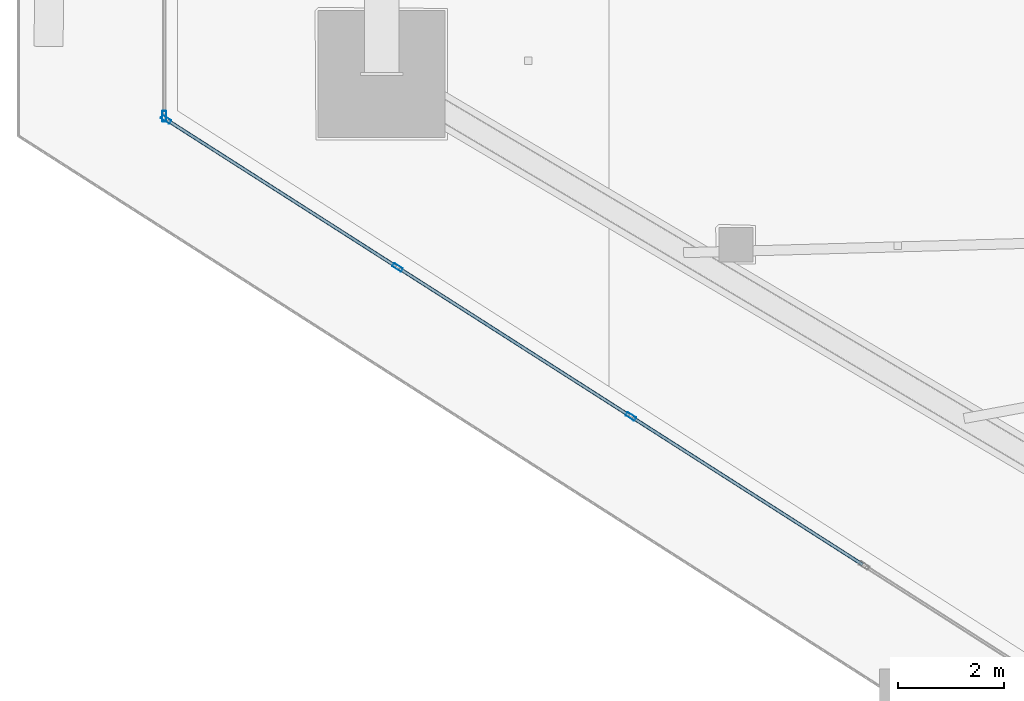
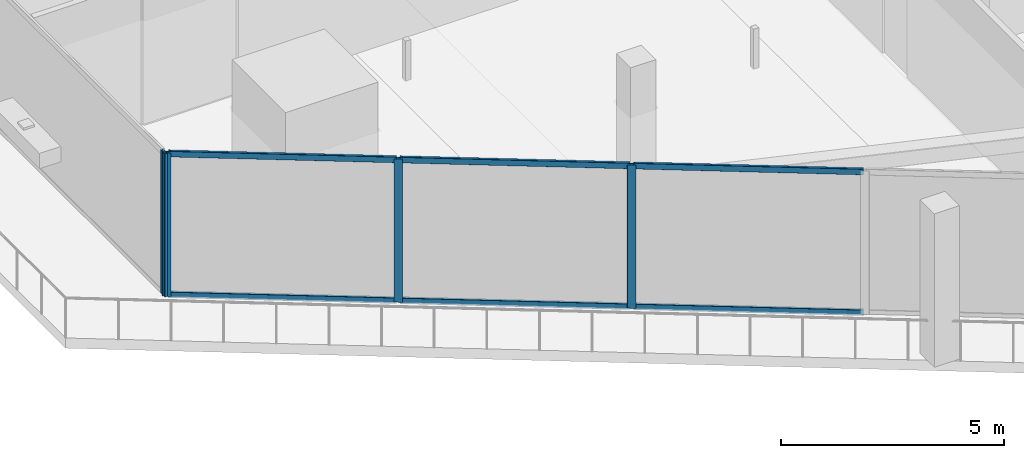
# One storey, part 3 of 47: 10 members, 2 elements without a shape of their own.
"""IFC4 building model written with IfcOpenShell, lengths in metres."""

import ifcopenshell
import ifcopenshell.guid

model = None  # the IFC model being written
_history = None  # IfcOwnerHistory: only IFC2X3 demands one
_inside = {}  # id of a spatial element -> (the spatial element, [elements in it])
_under = {}  # id of a project, library or spatial element -> (it, [spatial elements below it])
_declared = {}  # id of a project -> (the project, [libraries it declares])
_typed = {}  # id of a type object -> (the type object, [elements of that type])
_made_of = {}  # id of a material, layer set ... -> (it, [elements and type objects made of it])


def new_model(schema):
    """Start an empty IFC model of exactly this schema.

    Asked for "IFC4X3", IfcOpenShell would pick the latest addendum, in which some entities
    have other attributes; the version numbers below select the first issue.
    IFC2X3 requires an IfcOwnerHistory on every rooted entity: one is made here for all.
    """
    global model, _history
    if schema == "IFC4X3":
        model = ifcopenshell.file(schema_version=(4, 3, 0, 0))
    else:
        model = ifcopenshell.file(schema=schema)
    _inside.clear()
    _under.clear()
    _declared.clear()
    _typed.clear()
    _made_of.clear()
    _history = None
    if model.schema == "IFC2X3":
        org = make("IfcOrganization", Name="unknown")
        user = make(
            "IfcPersonAndOrganization",
            ThePerson=make("IfcPerson", FamilyName="unknown"),
            TheOrganization=org,
        )
        app = make(
            "IfcApplication",
            ApplicationDeveloper=org,
            Version="unknown",
            ApplicationFullName="unknown",
            ApplicationIdentifier="unknown",
        )
        _history = make(
            "IfcOwnerHistory",
            OwningUser=user,
            OwningApplication=app,
            ChangeAction="ADDED",
            CreationDate=0,
        )
    return model


def make(cls, **values):
    """One entity of the class cls with the attributes given. An attribute that is None is left unset."""
    return model.create_entity(
        cls, **{name: value for name, value in values.items() if value is not None}
    )


def rooted(cls, **values):
    """An entity with a GlobalId (a new one), such as an element, a storey or a relation."""
    return make(cls, GlobalId=ifcopenshell.guid.new(), OwnerHistory=_history, **values)


def si_unit(unit_type, name, prefix=None):
    """IfcSIUnit, for example si_unit("LENGTHUNIT", "METRE", prefix="MILLI")."""
    return make("IfcSIUnit", UnitType=unit_type, Prefix=prefix, Name=name)


def assignment(units):
    """IfcUnitAssignment: the units of a project."""
    return None if units is None else make("IfcUnitAssignment", Units=units)


def point(xyz):
    """IfcCartesianPoint."""
    return None if xyz is None else make("IfcCartesianPoint", Coordinates=xyz)


def direction(xyz):
    """IfcDirection."""
    return None if xyz is None else make("IfcDirection", DirectionRatios=xyz)


def frame(location, z_axis=None, x_axis=None):
    """IfcAxis2Placement3D, a coordinate frame: its origin and axes. An axis left out is left unset."""
    return make(
        "IfcAxis2Placement3D",
        Location=point(location),
        Axis=direction(z_axis),
        RefDirection=direction(x_axis),
    )


def frame_2d(location, x_axis=None):
    """IfcAxis2Placement2D, a coordinate frame in the plane: its origin and x axis."""
    return make(
        "IfcAxis2Placement2D", Location=point(location), RefDirection=direction(x_axis)
    )


def origin():
    """The frame at (0, 0, 0) with its axes left unset."""
    return frame((0.0, 0.0, 0.0))


def origin_2d():
    """The frame at (0, 0) in the plane with its x axis left unset."""
    return frame_2d((0.0, 0.0))


def place(relative_to, where):
    """IfcLocalPlacement: puts the frame where relative to a parent placement (None: the world)."""
    return make(
        "IfcLocalPlacement", PlacementRelTo=relative_to, RelativePlacement=where
    )


def context(
    kind, dimensions, precision=None, world=None, true_north=None, identifier=None
):
    """IfcGeometricRepresentationContext, for example the 3D "Model" context."""
    return make(
        "IfcGeometricRepresentationContext",
        ContextIdentifier=identifier,
        ContextType=kind,
        CoordinateSpaceDimension=dimensions,
        Precision=precision,
        WorldCoordinateSystem=world,
        TrueNorth=true_north,
    )


def subcontext(parent, identifier, kind, view, scale=None):
    """IfcGeometricRepresentationSubContext, for example "Body" below "Model"."""
    return make(
        "IfcGeometricRepresentationSubContext",
        ContextIdentifier=identifier,
        ContextType=kind,
        ParentContext=parent,
        TargetScale=scale,
        TargetView=view,
    )


def project(units=None, contexts=None):
    """IfcProject with its units and contexts."""
    return rooted(
        "IfcProject",
        Name="project",
        RepresentationContexts=contexts,
        UnitsInContext=assignment(units),
    )


def spatial(cls, under=None, at=None, **own):
    """A site, building, storey or space (cls), placed at a placement, below another one or the project."""
    s = rooted(cls, ObjectPlacement=at, **own)
    if under is not None:
        _under.setdefault(under.id(), (under, []))[1].append(s)
    return s


def profile(cls, at=None, kind="AREA", **sizes):
    """A parametric profile (cls). Its sizes go by their IFC names, for example OverallWidth=200.0."""
    return make(cls, ProfileType=kind, Position=at, **sizes)


def hollow_rectangle(**sizes):
    """IfcRectangleHollowProfileDef."""
    return profile("IfcRectangleHollowProfileDef", **sizes)


def extrude(swept, where, along, depth):
    """IfcExtrudedAreaSolid: the profile swept, set in the frame where, extruded along a direction by depth."""
    return make(
        "IfcExtrudedAreaSolid",
        SweptArea=swept,
        Position=where,
        ExtrudedDirection=direction(along),
        Depth=depth,
    )


def shape(context_of_items, identifier, shape_type, items):
    """IfcShapeRepresentation: the items that make up one representation, for example the "Body"."""
    return make(
        "IfcShapeRepresentation",
        ContextOfItems=context_of_items,
        RepresentationIdentifier=identifier,
        RepresentationType=shape_type,
        Items=items,
    )


def material(Name=None, Category=None):
    """IfcMaterial."""
    return make("IfcMaterial", Name=Name, Category=Category)


def layer(
    of_material, thickness, ventilated=None, Name=None, Category=None, Priority=None
):
    """IfcMaterialLayer: one layer of a wall or slab, of a material (None: an air gap)."""
    return make(
        "IfcMaterialLayer",
        Material=of_material,
        LayerThickness=thickness,
        IsVentilated=ventilated,
        Name=Name,
        Category=Category,
        Priority=Priority,
    )


def layer_set(layers, Name=None):
    """IfcMaterialLayerSet."""
    return make("IfcMaterialLayerSet", MaterialLayers=layers, LayerSetName=Name)


def material_profile(
    of_material, cross_section, Name=None, Category=None, Priority=None
):
    """IfcMaterialProfile: a cross section and its material."""
    return make(
        "IfcMaterialProfile",
        Name=Name,
        Material=of_material,
        Profile=cross_section,
        Priority=Priority,
        Category=Category,
    )


def profile_set(profiles, Name=None, composite=None):
    """IfcMaterialProfileSet."""
    return make(
        "IfcMaterialProfileSet",
        Name=Name,
        MaterialProfiles=profiles,
        CompositeProfile=composite,
    )


def made_of(thing, what):
    """Note that an element or type object is made of a material, layer set ...; save() writes the relation."""
    if what is not None:
        _made_of.setdefault(what.id(), (what, []))[1].append(thing)
    return thing


def type_object(cls, material=None, **own):
    """A type object (cls), such as IfcWallType, which elements share."""
    return made_of(rooted(cls, **own), material)


def element(
    cls,
    number,
    at=None,
    inside=None,
    cuts=None,
    type_object=None,
    material=None,
    context=None,
    identifier="Body",
    shape_type=None,
    held_by="IfcProductDefinitionShape",
    body=None,
    shapes=None,
    **own,
):
    """One element of the class cls, such as IfcWall. Its Tag is "e" and its number.

    at: its placement. inside: the storey or other place that contains it. cuts: it is an
    opening in that element (IfcRelVoidsElement). A single representation is given by context,
    identifier, shape_type and body (its items); several are given by shapes. held_by: the class
    of the entity that holds the representations. save() writes the other relations.
    """
    e = rooted(cls, Tag="e%d" % number, ObjectPlacement=at, **own)
    if body is not None:
        shapes = [shape(context, identifier, shape_type, body)]
    if shapes is not None:
        e.Representation = make(held_by, Representations=shapes)
    if inside is not None:
        _inside.setdefault(inside.id(), (inside, []))[1].append(e)
    if cuts is not None:
        rooted(
            "IfcRelVoidsElement", RelatingBuildingElement=cuts, RelatedOpeningElement=e
        )
    if type_object is not None:
        _typed.setdefault(type_object.id(), (type_object, []))[1].append(e)
    return made_of(e, material)


def aggregate(whole, parts):
    """IfcRelAggregates: a whole, such as a stair, and the parts it consists of."""
    return rooted("IfcRelAggregates", RelatingObject=whole, RelatedObjects=parts)


def save(model, path):
    """Write the relations noted so far, then the file.

    IfcRelAggregates (storeys below a building ...), IfcRelContainedInSpatialStructure (elements
    in a storey), IfcRelDefinesByType, IfcRelAssociatesMaterial and IfcRelDeclares: one each for
    every whole, place, type object, material and project.
    """
    for whole, parts in _under.values():
        aggregate(whole, parts)
    for where, things in _inside.values():
        rooted(
            "IfcRelContainedInSpatialStructure",
            RelatedElements=things,
            RelatingStructure=where,
        )
    for kind, things in _typed.values():
        rooted("IfcRelDefinesByType", RelatedObjects=things, RelatingType=kind)
    for what, things in _made_of.values():
        rooted("IfcRelAssociatesMaterial", RelatedObjects=things, RelatingMaterial=what)
    for by, libraries in _declared.values():
        rooted("IfcRelDeclares", RelatingContext=by, RelatedDefinitions=libraries)
    model.write(path)


model = new_model("IFC4")

# Units and contexts
model_context = context("Model", 3, precision=1e-05, world=origin(), true_north=direction((0.0, 1.0)))
body_context = subcontext(model_context, "Body", "Model", "MODEL_VIEW")
ifc_project = project(units=[si_unit("LENGTHUNIT", "METRE"), si_unit("AREAUNIT", "SQUARE_METRE"), si_unit("VOLUMEUNIT", "CUBIC_METRE"), si_unit("PLANEANGLEUNIT", "RADIAN"), si_unit("MASSUNIT", "GRAM", prefix="KILO")], contexts=[model_context])

# Site, building, storey
site_placement = place(None, origin())
site = spatial("IfcSite", under=ifc_project, at=site_placement, CompositionType="ELEMENT")
building_placement = place(site_placement, origin())
building = spatial("IfcBuilding", under=site, at=building_placement, Name="Qorvath Tower", CompositionType="ELEMENT")
storey_placement = place(building_placement, frame((0.0, 0.0, 74.39990234375)))
storey = spatial("IfcBuildingStorey", under=building, at=storey_placement, Name="L16", CompositionType="ELEMENT", Elevation=74.39990234375)

# Curtain wall, member
ifc_material_1 = material(Name="Anodised aluminium and triple low-E glass", Category="aluminium")
ifc_layer = layer(ifc_material_1, 0.179931640625)
ifc_layer_set = layer_set([ifc_layer], Name="CW-SYS-5")
curtain_wall_type = type_object("IfcCurtainWallType", Name="CW-SYS-5", PredefinedType="NOTDEFINED", material=ifc_layer_set)
curtain_wall_1_placement = place(storey_placement, origin())
curtain_wall_1 = element("IfcCurtainWall", 1, at=curtain_wall_1_placement, inside=storey, type_object=curtain_wall_type, Name="Curtain Wall CW-5 CW-T-L16-5.1", PredefinedType="NOTDEFINED")
ifc_material_2 = material(Name="Anodised aluminium 6063-T6", Category="aluminium")
ifc_material_profile_1 = material_profile(ifc_material_2, hollow_rectangle(XDim=0.074951171875, YDim=0.199951171875, WallThickness=0.00390625, InnerFilletRadius=0.00390625, OuterFilletRadius=0.008056640625, at=origin_2d()), Name="CWM 200x75")
ifc_profile_set_1 = profile_set([ifc_material_profile_1], Name="Anodised aluminium 6063-T6")
member_type_1 = type_object("IfcMemberType", Name="CWM-200", PredefinedType="MULLION", material=ifc_profile_set_1)
member_1_placement = place(storey_placement, frame((-59.395751953125, -3.992919921875, 0.0), z_axis=(0.0, 0.0, 1.0), x_axis=(1.0, 0.0, 0.0)))
member_1 = element("IfcMember", 2, at=member_1_placement, type_object=member_type_1, Name="CW-5 mullion 2", PredefinedType="MULLION", context=body_context, shape_type="SweptSolid", body=[
    extrude(hollow_rectangle(XDim=0.074951171875, YDim=0.199951171875, WallThickness=0.00390625, InnerFilletRadius=0.00390625, OuterFilletRadius=0.008056640625, at=origin_2d()), origin(), (0.0, 0.0, 1.0), 3.920166015625),
])
aggregate(curtain_wall_1, [member_1])

# Curtain wall, members
curtain_wall_2_placement = place(storey_placement, origin())
curtain_wall_2 = element("IfcCurtainWall", 3, at=curtain_wall_2_placement, inside=storey, type_object=curtain_wall_type, Name="Curtain Wall CW-5 CW-T-L16-6.1", PredefinedType="NOTDEFINED")
member_2_placement = place(storey_placement, frame((-59.3642578125, -4.05078125, 0.0), z_axis=(0.0, 0.0, 1.0), x_axis=(0.538533177038, 0.842604306439, 0.0)))
member_2 = element("IfcMember", 4, at=member_2_placement, type_object=member_type_1, Name="CW-5 mullion 1", PredefinedType="MULLION", context=body_context, shape_type="SweptSolid", body=[
    extrude(hollow_rectangle(XDim=0.074951171875, YDim=0.199951171875, WallThickness=0.00390625, InnerFilletRadius=0.00390625, OuterFilletRadius=0.008056640625, at=origin_2d()), origin(), (0.0, 0.0, 1.0), 3.920166015625),
])
member_3_placement = place(storey_placement, frame((-54.9814453125, -6.851806640625, 0.0), z_axis=(0.0, 0.0, 1.0), x_axis=(0.538533177038, 0.842604306439, 0.0)))
member_3 = element("IfcMember", 5, at=member_3_placement, type_object=member_type_1, Name="CW-5 mullion 2", PredefinedType="MULLION", context=body_context, shape_type="SweptSolid", body=[
    extrude(hollow_rectangle(XDim=0.074951171875, YDim=0.199951171875, WallThickness=0.00390625, InnerFilletRadius=0.00390625, OuterFilletRadius=0.008056640625, at=origin_2d()), origin(), (0.0, 0.0, 1.0), 3.920166015625),
])
member_4_placement = place(storey_placement, frame((-50.567138671875, -9.67333984375, 0.0), z_axis=(0.0, 0.0, 1.0), x_axis=(0.538533177038, 0.842604306439, 0.0)))
member_4 = element("IfcMember", 6, at=member_4_placement, type_object=member_type_1, Name="CW-5 mullion 3", PredefinedType="MULLION", context=body_context, shape_type="SweptSolid", body=[
    extrude(hollow_rectangle(XDim=0.074951171875, YDim=0.199951171875, WallThickness=0.00390625, InnerFilletRadius=0.00390625, OuterFilletRadius=0.008056640625, at=origin_2d()), origin(), (0.0, 0.0, 1.0), 3.920166015625),
])
ifc_material_3 = material(Name="Anodised aluminium 6063-T6", Category="aluminium")
ifc_material_profile_2 = material_profile(ifc_material_3, hollow_rectangle(XDim=0.06494140625, YDim=0.159912109375, WallThickness=0.00341796875, InnerFilletRadius=0.00341796875, OuterFilletRadius=0.007080078125, at=origin_2d()), Name="CWT 160x65")
ifc_profile_set_2 = profile_set([ifc_material_profile_2], Name="Anodised aluminium 6063-T6")
member_type_2 = type_object("IfcMemberType", Name="CWT-160", PredefinedType="USERDEFINED", material=ifc_profile_set_2)
member_5_placement = place(storey_placement, frame((-59.33251953125, -4.07080078125, 0.032470703125), z_axis=(0.842606819938, -0.538529244326, 0.0), x_axis=(0.538529244326, 0.842606819938, 0.0)))
member_5 = element("IfcMember", 7, at=member_5_placement, type_object=member_type_2, Name="CW-5 transom 1.1", ObjectType="TRANSOM", PredefinedType="USERDEFINED", context=body_context, shape_type="SweptSolid", body=[
    extrude(hollow_rectangle(XDim=0.06494140625, YDim=0.159912109375, WallThickness=0.00341796875, InnerFilletRadius=0.00341796875, OuterFilletRadius=0.007080078125, at=origin_2d()), origin(), (0.0, 0.0, 1.0), 5.12646484375),
])
member_6_placement = place(storey_placement, frame((-59.33251953125, -4.07080078125, 3.8876953125), z_axis=(0.842606819938, -0.538529244326, 0.0), x_axis=(0.538529244326, 0.842606819938, 0.0)))
member_6 = element("IfcMember", 8, at=member_6_placement, type_object=member_type_2, Name="CW-5 transom 1.2", ObjectType="TRANSOM", PredefinedType="USERDEFINED", context=body_context, shape_type="SweptSolid", body=[
    extrude(hollow_rectangle(XDim=0.06494140625, YDim=0.159912109375, WallThickness=0.00341796875, InnerFilletRadius=0.00341796875, OuterFilletRadius=0.007080078125, at=origin_2d()), origin(), (0.0, 0.0, 1.0), 5.12646484375),
])
member_7_placement = place(storey_placement, frame((-54.94970703125, -6.8720703125, 0.032470703125), z_axis=(0.842594952628, -0.538547811996, 0.0), x_axis=(0.538547811996, 0.842594952628, 0.0)))
member_7 = element("IfcMember", 9, at=member_7_placement, type_object=member_type_2, Name="CW-5 transom 2.1", ObjectType="TRANSOM", PredefinedType="USERDEFINED", context=body_context, shape_type="SweptSolid", body=[
    extrude(hollow_rectangle(XDim=0.06494140625, YDim=0.159912109375, WallThickness=0.00341796875, InnerFilletRadius=0.00341796875, OuterFilletRadius=0.007080078125, at=origin_2d()), origin(), (0.0, 0.0, 1.0), 5.163818359375),
])
member_8_placement = place(storey_placement, frame((-54.94970703125, -6.8720703125, 3.8876953125), z_axis=(0.842594952628, -0.538547811996, 0.0), x_axis=(0.538547811996, 0.842594952628, 0.0)))
member_8 = element("IfcMember", 10, at=member_8_placement, type_object=member_type_2, Name="CW-5 transom 2.2", ObjectType="TRANSOM", PredefinedType="USERDEFINED", context=body_context, shape_type="SweptSolid", body=[
    extrude(hollow_rectangle(XDim=0.06494140625, YDim=0.159912109375, WallThickness=0.00341796875, InnerFilletRadius=0.00341796875, OuterFilletRadius=0.007080078125, at=origin_2d()), origin(), (0.0, 0.0, 1.0), 5.163818359375),
])
member_9_placement = place(storey_placement, frame((-50.535400390625, -9.693359375, 0.032470703125), z_axis=(0.842594952628, -0.538547811996, 0.0), x_axis=(0.538547811996, 0.842594952628, 0.0)))
member_9 = element("IfcMember", 11, at=member_9_placement, type_object=member_type_2, Name="CW-5 transom 3.1", ObjectType="TRANSOM", PredefinedType="USERDEFINED", context=body_context, shape_type="SweptSolid", body=[
    extrude(hollow_rectangle(XDim=0.06494140625, YDim=0.159912109375, WallThickness=0.00341796875, InnerFilletRadius=0.00341796875, OuterFilletRadius=0.007080078125, at=origin_2d()), origin(), (0.0, 0.0, 1.0), 5.163818359375),
])
member_10_placement = place(storey_placement, frame((-50.535400390625, -9.693359375, 3.8876953125), z_axis=(0.842594952628, -0.538547811996, 0.0), x_axis=(0.538547811996, 0.842594952628, 0.0)))
member_10 = element("IfcMember", 12, at=member_10_placement, type_object=member_type_2, Name="CW-5 transom 3.2", ObjectType="TRANSOM", PredefinedType="USERDEFINED", context=body_context, shape_type="SweptSolid", body=[
    extrude(hollow_rectangle(XDim=0.06494140625, YDim=0.159912109375, WallThickness=0.00341796875, InnerFilletRadius=0.00341796875, OuterFilletRadius=0.007080078125, at=origin_2d()), origin(), (0.0, 0.0, 1.0), 5.163818359375),
])
aggregate(curtain_wall_2, [member_2, member_3, member_4, member_5, member_6, member_7, member_8, member_9, member_10])

save(model, "model.ifc")
